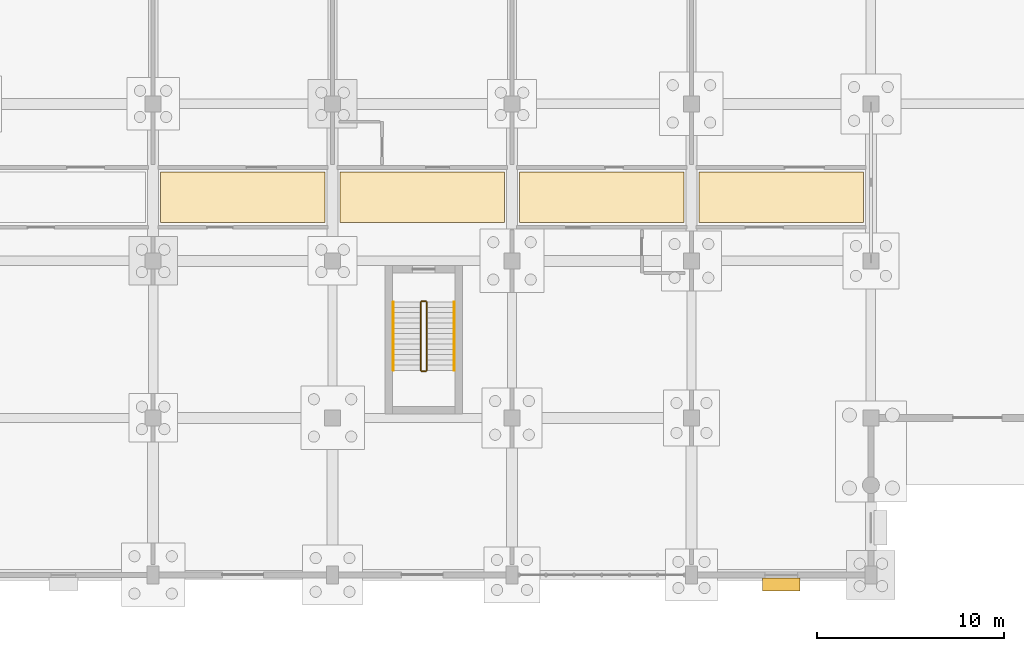
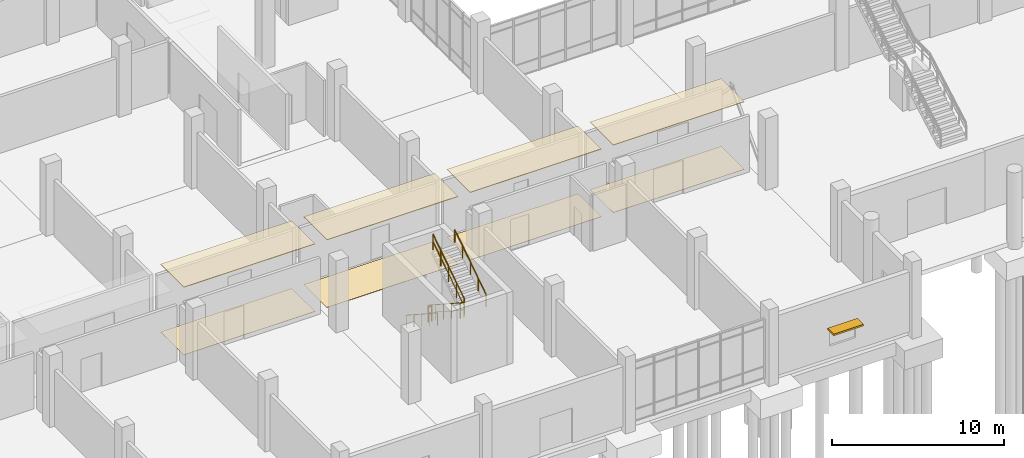
# One storey, part 123 of 136: 8 coverings, 6 railings, 1 shading device.
"""IFC4 building model written with IfcOpenShell, lengths in metres."""

from ifc_helpers import new_model, si_unit, direction, frame, origin, origin_2d, place, context, subcontext, project, spatial, polyline, rectangle, circle, outline, extrude, material, layer, layer_set, type_object, element, save


model = new_model("IFC4")

# Units and contexts
model_context = context("Model", 3, precision=1e-05, world=origin(), true_north=direction((0.0, 1.0)))
body_context = subcontext(model_context, "Body", "Model", "MODEL_VIEW")
ifc_project = project(units=[si_unit("LENGTHUNIT", "METRE"), si_unit("AREAUNIT", "SQUARE_METRE"), si_unit("VOLUMEUNIT", "CUBIC_METRE"), si_unit("PLANEANGLEUNIT", "RADIAN"), si_unit("MASSUNIT", "GRAM", prefix="KILO")], contexts=[model_context])

# Site, building, storey
site_placement = place(None, origin())
site = spatial("IfcSite", under=ifc_project, at=site_placement, CompositionType="ELEMENT")
building_placement = place(site_placement, origin())
building = spatial("IfcBuilding", under=site, at=building_placement, Name="Oolite Switchyard Hospital", CompositionType="ELEMENT")
storey_placement = place(building_placement, origin())
storey = spatial("IfcBuildingStorey", under=building, at=storey_placement, Name="L00", CompositionType="ELEMENT", Elevation=0.0)

# Coverings
ifc_material_1 = material(Name="Hygienic washable mineral-fibre acoustic ceiling")
ifc_layer_1 = layer(ifc_material_1, 0.0400390625)
ifc_layer_set_1 = layer_set([ifc_layer_1], Name="COV-CEIL-AC60")
covering_type_1 = type_object("IfcCoveringType", Name="COV-CEIL-AC60", PredefinedType="CEILING", material=ifc_layer_set_1)
covering_1_placement = place(storey_placement, frame((0.0, 0.0, 4.784912109375)))
element("IfcCovering", 1, at=covering_1_placement, inside=storey, type_object=covering_type_1, Name="L00 Emergency Trauma Corridor Ceiling 3", PredefinedType="CEILING", context=body_context, shape_type="SweptSolid", body=[
    extrude(outline(polyline([(29.199951171875, 18.85009765625), (38.0, 18.85009765625), (38.0, 21.550048828125), (29.199951171875, 21.550048828125), (29.199951171875, 18.85009765625)])), origin(), (0.0, 0.0, 1.0), 0.0400390625),
])
covering_2_placement = place(storey_placement, frame((0.0, 0.0, 4.784912109375)))
element("IfcCovering", 2, at=covering_2_placement, inside=storey, type_object=covering_type_1, Name="L00 Emergency Trauma Corridor Ceiling 4", PredefinedType="CEILING", context=body_context, shape_type="SweptSolid", body=[
    extrude(outline(polyline([(38.800048828125, 18.85009765625), (47.60009765625, 18.85009765625), (47.60009765625, 21.550048828125), (38.800048828125, 21.550048828125), (38.800048828125, 18.85009765625)])), origin(), (0.0, 0.0, 1.0), 0.0400390625),
])
covering_3_placement = place(storey_placement, frame((0.0, 0.0, 4.784912109375)))
element("IfcCovering", 3, at=covering_3_placement, inside=storey, type_object=covering_type_1, Name="L00 Emergency Trauma Corridor Ceiling 5", PredefinedType="CEILING", context=body_context, shape_type="SweptSolid", body=[
    extrude(outline(polyline([(48.39990234375, 18.85009765625), (57.199951171875, 18.85009765625), (57.199951171875, 21.550048828125), (48.39990234375, 21.550048828125), (48.39990234375, 18.85009765625)])), origin(), (0.0, 0.0, 1.0), 0.0400390625),
])
covering_4_placement = place(storey_placement, frame((0.0, 0.0, 4.784912109375)))
element("IfcCovering", 4, at=covering_4_placement, inside=storey, type_object=covering_type_1, Name="L00 Emergency Trauma Corridor Ceiling 6", PredefinedType="CEILING", context=body_context, shape_type="SweptSolid", body=[
    extrude(outline(polyline([(58.0, 18.85009765625), (66.800048828125, 18.85009765625), (66.800048828125, 21.550048828125), (58.0, 21.550048828125), (58.0, 18.85009765625)])), origin(), (0.0, 0.0, 1.0), 0.0400390625),
])
ifc_material_2 = material(Name="Epoxy terrazzo seamless clinical flooring")
ifc_layer_2 = layer(ifc_material_2, 0.02001953125)
ifc_layer_set_2 = layer_set([ifc_layer_2], Name="COV-FLR-TER20")
covering_type_2 = type_object("IfcCoveringType", Name="COV-FLR-TER20", PredefinedType="FLOORING", material=ifc_layer_set_2)
covering_5_placement = place(storey_placement, origin())
element("IfcCovering", 5, at=covering_5_placement, inside=storey, type_object=covering_type_2, Name="L00 Emergency Trauma Corridor Flooring 3", PredefinedType="FLOORING", context=body_context, shape_type="SweptSolid", body=[
    extrude(outline(polyline([(29.199951171875, 18.85009765625), (38.0, 18.85009765625), (38.0, 21.550048828125), (29.199951171875, 21.550048828125), (29.199951171875, 18.85009765625)])), origin(), (0.0, 0.0, 1.0), 0.02001953125),
])
covering_6_placement = place(storey_placement, origin())
element("IfcCovering", 6, at=covering_6_placement, inside=storey, type_object=covering_type_2, Name="L00 Emergency Trauma Corridor Flooring 4", PredefinedType="FLOORING", context=body_context, shape_type="SweptSolid", body=[
    extrude(outline(polyline([(38.800048828125, 18.85009765625), (47.60009765625, 18.85009765625), (47.60009765625, 21.550048828125), (38.800048828125, 21.550048828125), (38.800048828125, 18.85009765625)])), origin(), (0.0, 0.0, 1.0), 0.02001953125),
])
covering_7_placement = place(storey_placement, origin())
element("IfcCovering", 7, at=covering_7_placement, inside=storey, type_object=covering_type_2, Name="L00 Emergency Trauma Corridor Flooring 5", PredefinedType="FLOORING", context=body_context, shape_type="SweptSolid", body=[
    extrude(outline(polyline([(48.39990234375, 18.85009765625), (57.199951171875, 18.85009765625), (57.199951171875, 21.550048828125), (48.39990234375, 21.550048828125), (48.39990234375, 18.85009765625)])), origin(), (0.0, 0.0, 1.0), 0.02001953125),
])
covering_8_placement = place(storey_placement, origin())
element("IfcCovering", 8, at=covering_8_placement, inside=storey, type_object=covering_type_2, Name="L00 Emergency Trauma Corridor Flooring 6", PredefinedType="FLOORING", context=body_context, shape_type="SweptSolid", body=[
    extrude(outline(polyline([(58.0, 18.85009765625), (66.800048828125, 18.85009765625), (66.800048828125, 21.550048828125), (58.0, 21.550048828125), (58.0, 18.85009765625)])), origin(), (0.0, 0.0, 1.0), 0.02001953125),
])

# Railings
ifc_material_3 = material(Name="Galvanized painted architectural steel handrail", Category="steel")
railing_type_1 = type_object("IfcRailingType", Name="RL-STAIR-GRD", PredefinedType="GUARDRAIL", material=ifc_material_3)
railing_1_placement = place(storey_placement, frame((43.110107421875, 14.590087890625, 0.18212890625)))
element("IfcRailing", 9, at=railing_1_placement, inside=storey, type_object=railing_type_1, Name="L00 ST-08 stair guard 1", PredefinedType="GUARDRAIL", context=body_context, shape_type="SweptSolid", body=[
    extrude(circle(Radius=0.02392578125, at=origin_2d()), frame((0.0, 0.0, 1.076171875), z_axis=(0.0, -0.83825089185, 0.545284735081), x_axis=(1.0, 0.0, 0.0)), (0.0, 0.0, 1.0), 4.342529296875),
    extrude(circle(Radius=0.015625, at=origin_2d()), frame((0.0, 0.0, 0.550048828125), z_axis=(0.0, -0.83825089185, 0.545284735081), x_axis=(1.0, 0.0, 0.0)), (0.0, 0.0, 1.0), 4.342529296875),
    extrude(circle(Radius=0.02099609375, at=origin_2d()), origin(), (0.0, 0.0, 1.0), 1.052001953125),
    extrude(circle(Radius=0.02099609375, at=origin_2d()), frame((0.0, -0.91015625, 0.592041015625)), (0.0, 0.0, 1.0), 1.052001953125),
    extrude(circle(Radius=0.02099609375, at=origin_2d()), frame((0.0, -1.820068359375, 1.18408203125)), (0.0, 0.0, 1.0), 1.052001953125),
    extrude(circle(Radius=0.02099609375, at=origin_2d()), frame((0.0, -2.72998046875, 1.77587890625)), (0.0, 0.0, 1.0), 1.052001953125),
    extrude(circle(Radius=0.02099609375, at=origin_2d()), frame((0.0, -3.64013671875, 2.367919921875)), (0.0, 0.0, 1.0), 1.052001953125),
])
railing_2_placement = place(storey_placement, frame((43.159912109375, 10.89990234375, 2.550048828125)))
element("IfcRailing", 10, at=railing_2_placement, inside=storey, type_object=railing_type_1, Name="L00 ST-08 stair guard 2", PredefinedType="GUARDRAIL", context=body_context, shape_type="SweptSolid", body=[
    extrude(circle(Radius=0.02392578125, at=origin_2d()), frame((0.0, 0.0, 1.076171875), z_axis=(1.0, 0.0, 0.0), x_axis=(0.0, 1.0, 0.0)), (0.0, 0.0, 1.0), 0.239990234375),
    extrude(circle(Radius=0.015625, at=origin_2d()), frame((0.0, 0.0, 0.550048828125), z_axis=(1.0, 0.0, 0.0), x_axis=(0.0, 1.0, 0.0)), (0.0, 0.0, 1.0), 0.239990234375),
    extrude(circle(Radius=0.02099609375, at=origin_2d()), origin(), (0.0, 0.0, 1.0), 1.052001953125),
    extrude(circle(Radius=0.02099609375, at=origin_2d()), frame((0.239990234375, 0.0, 0.0)), (0.0, 0.0, 1.0), 1.052001953125),
])
railing_3_placement = place(storey_placement, frame((43.449951171875, 10.949951171875, 2.732177734375)))
element("IfcRailing", 11, at=railing_3_placement, inside=storey, type_object=railing_type_1, Name="L00 ST-08 stair guard 3", PredefinedType="GUARDRAIL", context=body_context, shape_type="SweptSolid", body=[
    extrude(circle(Radius=0.02392578125, at=origin_2d()), frame((0.0, 0.0, 1.076171875), z_axis=(0.0, 0.83825089185, 0.545284735081), x_axis=(-1.0, 0.0, 0.0)), (0.0, 0.0, 1.0), 4.342529296875),
    extrude(circle(Radius=0.015625, at=origin_2d()), frame((0.0, 0.0, 0.550048828125), z_axis=(0.0, 0.83825089185, 0.545284735081), x_axis=(-1.0, 0.0, 0.0)), (0.0, 0.0, 1.0), 4.342529296875),
    extrude(circle(Radius=0.02099609375, at=origin_2d()), origin(), (0.0, 0.0, 1.0), 1.052001953125),
    extrude(circle(Radius=0.02099609375, at=origin_2d()), frame((0.0, 0.91015625, 0.592041015625)), (0.0, 0.0, 1.0), 1.052001953125),
    extrude(circle(Radius=0.02099609375, at=origin_2d()), frame((0.0, 1.820068359375, 1.18408203125)), (0.0, 0.0, 1.0), 1.052001953125),
    extrude(circle(Radius=0.02099609375, at=origin_2d()), frame((0.0, 2.72998046875, 1.77587890625)), (0.0, 0.0, 1.0), 1.052001953125),
    extrude(circle(Radius=0.02099609375, at=origin_2d()), frame((0.0, 3.64013671875, 2.367919921875)), (0.0, 0.0, 1.0), 1.052001953125),
])
railing_4_placement = place(storey_placement, frame((43.159912109375, 14.639892578125, 0.0)))
element("IfcRailing", 12, at=railing_4_placement, inside=storey, type_object=railing_type_1, Name="L00 ST-08 stair guard 4", PredefinedType="GUARDRAIL", context=body_context, shape_type="SweptSolid", body=[
    extrude(circle(Radius=0.02392578125, at=origin_2d()), frame((0.0, 0.0, 1.076171875), z_axis=(1.0, 0.0, 0.0), x_axis=(0.0, 1.0, 0.0)), (0.0, 0.0, 1.0), 0.239990234375),
    extrude(circle(Radius=0.015625, at=origin_2d()), frame((0.0, 0.0, 0.550048828125), z_axis=(1.0, 0.0, 0.0), x_axis=(0.0, 1.0, 0.0)), (0.0, 0.0, 1.0), 0.239990234375),
    extrude(circle(Radius=0.02099609375, at=origin_2d()), origin(), (0.0, 0.0, 1.0), 1.052001953125),
    extrude(circle(Radius=0.02099609375, at=origin_2d()), frame((0.239990234375, 0.0, 0.0)), (0.0, 0.0, 1.0), 1.052001953125),
])
railing_type_2 = type_object("IfcRailingType", Name="RL-STAIR-HND", PredefinedType="HANDRAIL", material=ifc_material_3)
railing_5_placement = place(storey_placement, frame((41.64990234375, 14.590087890625, 0.18212890625)))
element("IfcRailing", 13, at=railing_5_placement, inside=storey, type_object=railing_type_2, Name="L00 ST-08 stair handrail 1", PredefinedType="HANDRAIL", context=body_context, shape_type="SweptSolid", body=[
    extrude(circle(Radius=0.02392578125, at=origin_2d()), frame((0.0, 0.0, 0.8759765625), z_axis=(0.0, -0.83825089185, 0.545284735081), x_axis=(1.0, 0.0, 0.0)), (0.0, 0.0, 1.0), 4.342529296875),
    extrude(circle(Radius=0.02099609375, at=origin_2d()), origin(), (0.0, 0.0, 1.0), 0.851806640625),
    extrude(circle(Radius=0.02099609375, at=origin_2d()), frame((0.0, -0.91015625, 0.592041015625)), (0.0, 0.0, 1.0), 0.851806640625),
    extrude(circle(Radius=0.02099609375, at=origin_2d()), frame((0.0, -1.820068359375, 1.18408203125)), (0.0, 0.0, 1.0), 0.851806640625),
    extrude(circle(Radius=0.02099609375, at=origin_2d()), frame((0.0, -2.72998046875, 1.77587890625)), (0.0, 0.0, 1.0), 0.851806640625),
    extrude(circle(Radius=0.02099609375, at=origin_2d()), frame((0.0, -3.64013671875, 2.367919921875)), (0.0, 0.0, 1.0), 0.851806640625),
])
railing_6_placement = place(storey_placement, frame((44.909912109375, 10.949951171875, 2.732177734375)))
element("IfcRailing", 14, at=railing_6_placement, inside=storey, type_object=railing_type_2, Name="L00 ST-08 stair handrail 2", PredefinedType="HANDRAIL", context=body_context, shape_type="SweptSolid", body=[
    extrude(circle(Radius=0.02392578125, at=origin_2d()), frame((0.0, 0.0, 0.8759765625), z_axis=(0.0, 0.83825089185, 0.545284735081), x_axis=(-1.0, 0.0, 0.0)), (0.0, 0.0, 1.0), 4.342529296875),
    extrude(circle(Radius=0.02099609375, at=origin_2d()), origin(), (0.0, 0.0, 1.0), 0.851806640625),
    extrude(circle(Radius=0.02099609375, at=origin_2d()), frame((0.0, 0.91015625, 0.592041015625)), (0.0, 0.0, 1.0), 0.851806640625),
    extrude(circle(Radius=0.02099609375, at=origin_2d()), frame((0.0, 1.820068359375, 1.18408203125)), (0.0, 0.0, 1.0), 0.851806640625),
    extrude(circle(Radius=0.02099609375, at=origin_2d()), frame((0.0, 2.72998046875, 1.77587890625)), (0.0, 0.0, 1.0), 0.851806640625),
    extrude(circle(Radius=0.02099609375, at=origin_2d()), frame((0.0, 3.64013671875, 2.367919921875)), (0.0, 0.0, 1.0), 0.851806640625),
])

# Shading device
ifc_material_4 = material(Name="Precast oolitic limestone architectural concrete C40/50", Category="masonry")
ifc_layer_3 = layer(ifc_material_4, 0.1201171875)
ifc_layer_set_3 = layer_set([ifc_layer_3], Name="SHD-BRISE-900")
shading_device_type = type_object("IfcShadingDeviceType", Name="SHD-BRISE-900", PredefinedType="AWNING", material=ifc_layer_set_3)
shading_device_placement = place(storey_placement, frame((62.39990234375, -0.52001953125, 2.06005859375), z_axis=(0.0, 0.0, 1.0), x_axis=(1.0, 0.0, 0.0)))
element("IfcShadingDevice", 15, at=shading_device_placement, inside=storey, type_object=shading_device_type, Name="L00 Classical Brise-Soleil Sunshade 2", PredefinedType="AWNING", context=body_context, shape_type="SweptSolid", body=[
    extrude(rectangle(XDim=1.989990234375, YDim=0.699951171875, at=origin_2d()), origin(), (0.0, 0.0, 1.0), 0.1201171875),
])

save(model, "model.ifc")
